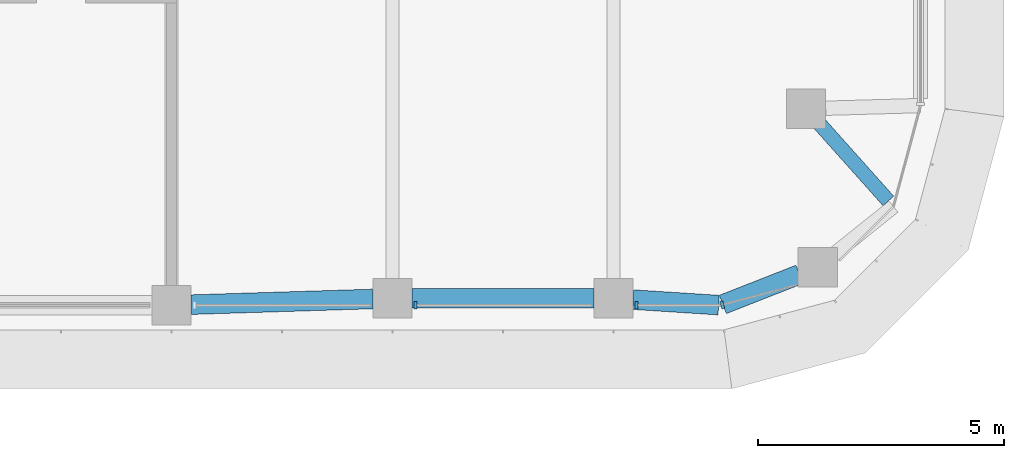
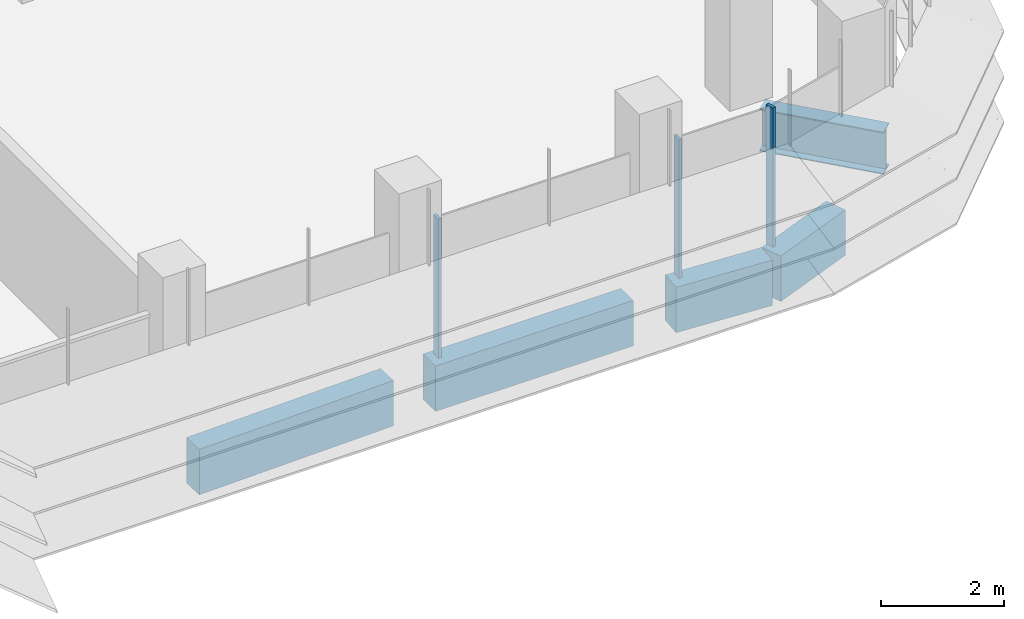
# One storey, part 5 of 20: 5 beams, 3 members, 2 elements without a shape of their own.
"""IFC4 building model written with IfcOpenShell, lengths in metres."""

import ifcopenshell
import ifcopenshell.guid

model = None  # the IFC model being written
_history = None  # IfcOwnerHistory: only IFC2X3 demands one
_inside = {}  # id of a spatial element -> (the spatial element, [elements in it])
_under = {}  # id of a project, library or spatial element -> (it, [spatial elements below it])
_declared = {}  # id of a project -> (the project, [libraries it declares])
_typed = {}  # id of a type object -> (the type object, [elements of that type])
_made_of = {}  # id of a material, layer set ... -> (it, [elements and type objects made of it])


def new_model(schema):
    """Start an empty IFC model of exactly this schema.

    Asked for "IFC4X3", IfcOpenShell would pick the latest addendum, in which some entities
    have other attributes; the version numbers below select the first issue.
    IFC2X3 requires an IfcOwnerHistory on every rooted entity: one is made here for all.
    """
    global model, _history
    if schema == "IFC4X3":
        model = ifcopenshell.file(schema_version=(4, 3, 0, 0))
    else:
        model = ifcopenshell.file(schema=schema)
    _inside.clear()
    _under.clear()
    _declared.clear()
    _typed.clear()
    _made_of.clear()
    _history = None
    if model.schema == "IFC2X3":
        org = make("IfcOrganization", Name="unknown")
        user = make(
            "IfcPersonAndOrganization",
            ThePerson=make("IfcPerson", FamilyName="unknown"),
            TheOrganization=org,
        )
        app = make(
            "IfcApplication",
            ApplicationDeveloper=org,
            Version="unknown",
            ApplicationFullName="unknown",
            ApplicationIdentifier="unknown",
        )
        _history = make(
            "IfcOwnerHistory",
            OwningUser=user,
            OwningApplication=app,
            ChangeAction="ADDED",
            CreationDate=0,
        )
    return model


def make(cls, **values):
    """One entity of the class cls with the attributes given. An attribute that is None is left unset."""
    return model.create_entity(
        cls, **{name: value for name, value in values.items() if value is not None}
    )


def rooted(cls, **values):
    """An entity with a GlobalId (a new one), such as an element, a storey or a relation."""
    return make(cls, GlobalId=ifcopenshell.guid.new(), OwnerHistory=_history, **values)


def si_unit(unit_type, name, prefix=None):
    """IfcSIUnit, for example si_unit("LENGTHUNIT", "METRE", prefix="MILLI")."""
    return make("IfcSIUnit", UnitType=unit_type, Prefix=prefix, Name=name)


def assignment(units):
    """IfcUnitAssignment: the units of a project."""
    return None if units is None else make("IfcUnitAssignment", Units=units)


def point(xyz):
    """IfcCartesianPoint."""
    return None if xyz is None else make("IfcCartesianPoint", Coordinates=xyz)


def direction(xyz):
    """IfcDirection."""
    return None if xyz is None else make("IfcDirection", DirectionRatios=xyz)


def frame(location, z_axis=None, x_axis=None):
    """IfcAxis2Placement3D, a coordinate frame: its origin and axes. An axis left out is left unset."""
    return make(
        "IfcAxis2Placement3D",
        Location=point(location),
        Axis=direction(z_axis),
        RefDirection=direction(x_axis),
    )


def frame_2d(location, x_axis=None):
    """IfcAxis2Placement2D, a coordinate frame in the plane: its origin and x axis."""
    return make(
        "IfcAxis2Placement2D", Location=point(location), RefDirection=direction(x_axis)
    )


def origin():
    """The frame at (0, 0, 0) with its axes left unset."""
    return frame((0.0, 0.0, 0.0))


def origin_2d():
    """The frame at (0, 0) in the plane with its x axis left unset."""
    return frame_2d((0.0, 0.0))


def place(relative_to, where):
    """IfcLocalPlacement: puts the frame where relative to a parent placement (None: the world)."""
    return make(
        "IfcLocalPlacement", PlacementRelTo=relative_to, RelativePlacement=where
    )


def context(
    kind, dimensions, precision=None, world=None, true_north=None, identifier=None
):
    """IfcGeometricRepresentationContext, for example the 3D "Model" context."""
    return make(
        "IfcGeometricRepresentationContext",
        ContextIdentifier=identifier,
        ContextType=kind,
        CoordinateSpaceDimension=dimensions,
        Precision=precision,
        WorldCoordinateSystem=world,
        TrueNorth=true_north,
    )


def subcontext(parent, identifier, kind, view, scale=None):
    """IfcGeometricRepresentationSubContext, for example "Body" below "Model"."""
    return make(
        "IfcGeometricRepresentationSubContext",
        ContextIdentifier=identifier,
        ContextType=kind,
        ParentContext=parent,
        TargetScale=scale,
        TargetView=view,
    )


def project(units=None, contexts=None):
    """IfcProject with its units and contexts."""
    return rooted(
        "IfcProject",
        Name="project",
        RepresentationContexts=contexts,
        UnitsInContext=assignment(units),
    )


def spatial(cls, under=None, at=None, **own):
    """A site, building, storey or space (cls), placed at a placement, below another one or the project."""
    s = rooted(cls, ObjectPlacement=at, **own)
    if under is not None:
        _under.setdefault(under.id(), (under, []))[1].append(s)
    return s


def polyline(points):
    """IfcPolyline through the points."""
    return make("IfcPolyline", Points=[point(p) for p in points])


def profile(cls, at=None, kind="AREA", **sizes):
    """A parametric profile (cls). Its sizes go by their IFC names, for example OverallWidth=200.0."""
    return make(cls, ProfileType=kind, Position=at, **sizes)


def rectangle(**sizes):
    """IfcRectangleProfileDef."""
    return profile("IfcRectangleProfileDef", **sizes)


def i_section(**sizes):
    """IfcIShapeProfileDef."""
    return profile("IfcIShapeProfileDef", **sizes)


def outline(outer, holes=None, kind="AREA"):
    """IfcArbitraryClosedProfileDef: a profile drawn as a closed curve; with holes, ...WithVoids."""
    if holes is None:
        return make("IfcArbitraryClosedProfileDef", ProfileType=kind, OuterCurve=outer)
    return make(
        "IfcArbitraryProfileDefWithVoids",
        ProfileType=kind,
        OuterCurve=outer,
        InnerCurves=holes,
    )


def extrude(swept, where, along, depth):
    """IfcExtrudedAreaSolid: the profile swept, set in the frame where, extruded along a direction by depth."""
    return make(
        "IfcExtrudedAreaSolid",
        SweptArea=swept,
        Position=where,
        ExtrudedDirection=direction(along),
        Depth=depth,
    )


def shape(context_of_items, identifier, shape_type, items):
    """IfcShapeRepresentation: the items that make up one representation, for example the "Body"."""
    return make(
        "IfcShapeRepresentation",
        ContextOfItems=context_of_items,
        RepresentationIdentifier=identifier,
        RepresentationType=shape_type,
        Items=items,
    )


def source(mapping_origin, context_of_items, identifier, shape_type, items):
    """IfcRepresentationMap: a shape defined once, which mapped items show again and again."""
    return make(
        "IfcRepresentationMap",
        MappingOrigin=mapping_origin,
        MappedRepresentation=shape(context_of_items, identifier, shape_type, items),
    )


def transform(
    local_origin,
    x_axis=None,
    y_axis=None,
    z_axis=None,
    scale=None,
    scale2=None,
    scale3=None,
    uniform=True,
):
    """IfcCartesianTransformationOperator3D, or its non-uniform kind. x_axis, y_axis, z_axis: its Axis1, 2, 3."""
    if uniform:
        return make(
            "IfcCartesianTransformationOperator3D",
            Axis1=direction(x_axis),
            Axis2=direction(y_axis),
            LocalOrigin=point(local_origin),
            Scale=scale,
            Axis3=direction(z_axis),
        )
    return make(
        "IfcCartesianTransformationOperator3DnonUniform",
        Axis1=direction(x_axis),
        Axis2=direction(y_axis),
        LocalOrigin=point(local_origin),
        Scale=scale,
        Axis3=direction(z_axis),
        Scale2=scale2,
        Scale3=scale3,
    )


def mapped(mapping_source, mapping_target):
    """IfcMappedItem: shows the shape of a source again, moved by a transform."""
    return make(
        "IfcMappedItem", MappingSource=mapping_source, MappingTarget=mapping_target
    )


def material(Name=None, Category=None):
    """IfcMaterial."""
    return make("IfcMaterial", Name=Name, Category=Category)


def material_profile(
    of_material, cross_section, Name=None, Category=None, Priority=None
):
    """IfcMaterialProfile: a cross section and its material."""
    return make(
        "IfcMaterialProfile",
        Name=Name,
        Material=of_material,
        Profile=cross_section,
        Priority=Priority,
        Category=Category,
    )


def profile_set(profiles, Name=None, composite=None):
    """IfcMaterialProfileSet."""
    return make(
        "IfcMaterialProfileSet",
        Name=Name,
        MaterialProfiles=profiles,
        CompositeProfile=composite,
    )


def made_of(thing, what):
    """Note that an element or type object is made of a material, layer set ...; save() writes the relation."""
    if what is not None:
        _made_of.setdefault(what.id(), (what, []))[1].append(thing)
    return thing


def type_object(cls, material=None, **own):
    """A type object (cls), such as IfcWallType, which elements share."""
    return made_of(rooted(cls, **own), material)


def element(
    cls,
    number,
    at=None,
    inside=None,
    cuts=None,
    type_object=None,
    material=None,
    context=None,
    identifier="Body",
    shape_type=None,
    held_by="IfcProductDefinitionShape",
    body=None,
    shapes=None,
    **own,
):
    """One element of the class cls, such as IfcWall. Its Tag is "e" and its number.

    at: its placement. inside: the storey or other place that contains it. cuts: it is an
    opening in that element (IfcRelVoidsElement). A single representation is given by context,
    identifier, shape_type and body (its items); several are given by shapes. held_by: the class
    of the entity that holds the representations. save() writes the other relations.
    """
    e = rooted(cls, Tag="e%d" % number, ObjectPlacement=at, **own)
    if body is not None:
        shapes = [shape(context, identifier, shape_type, body)]
    if shapes is not None:
        e.Representation = make(held_by, Representations=shapes)
    if inside is not None:
        _inside.setdefault(inside.id(), (inside, []))[1].append(e)
    if cuts is not None:
        rooted(
            "IfcRelVoidsElement", RelatingBuildingElement=cuts, RelatedOpeningElement=e
        )
    if type_object is not None:
        _typed.setdefault(type_object.id(), (type_object, []))[1].append(e)
    return made_of(e, material)


def aggregate(whole, parts):
    """IfcRelAggregates: a whole, such as a stair, and the parts it consists of."""
    return rooted("IfcRelAggregates", RelatingObject=whole, RelatedObjects=parts)


def save(model, path):
    """Write the relations noted so far, then the file.

    IfcRelAggregates (storeys below a building ...), IfcRelContainedInSpatialStructure (elements
    in a storey), IfcRelDefinesByType, IfcRelAssociatesMaterial and IfcRelDeclares: one each for
    every whole, place, type object, material and project.
    """
    for whole, parts in _under.values():
        aggregate(whole, parts)
    for where, things in _inside.values():
        rooted(
            "IfcRelContainedInSpatialStructure",
            RelatedElements=things,
            RelatingStructure=where,
        )
    for kind, things in _typed.values():
        rooted("IfcRelDefinesByType", RelatedObjects=things, RelatingType=kind)
    for what, things in _made_of.values():
        rooted("IfcRelAssociatesMaterial", RelatedObjects=things, RelatingMaterial=what)
    for by, libraries in _declared.values():
        rooted("IfcRelDeclares", RelatingContext=by, RelatedDefinitions=libraries)
    model.write(path)


model = new_model("IFC4")

# Units and contexts
model_context = context("Model", 3, precision=1e-05, world=origin(), true_north=direction((0.0, 1.0)))
body_context = subcontext(model_context, "Body", "Model", "MODEL_VIEW")
ifc_project = project(units=[si_unit("LENGTHUNIT", "METRE"), si_unit("AREAUNIT", "SQUARE_METRE"), si_unit("VOLUMEUNIT", "CUBIC_METRE"), si_unit("PLANEANGLEUNIT", "RADIAN"), si_unit("MASSUNIT", "GRAM", prefix="KILO")], contexts=[model_context])

# Site, building, storey
site_placement = place(None, origin())
site = spatial("IfcSite", under=ifc_project, at=site_placement, CompositionType="ELEMENT")
building_placement = place(site_placement, origin())
building = spatial("IfcBuilding", under=site, at=building_placement, Name="Zarbagh Exchange Tower", CompositionType="ELEMENT")
storey_placement = place(building_placement, frame((0.0, 0.0, 148.60009765625)))
storey = spatial("IfcBuildingStorey", under=building, at=storey_placement, Name="L35", CompositionType="ELEMENT", Elevation=148.60009765625)

# Beams
ifc_material_1 = material(Name="Steel ASTM A992 Gr 50", Category="steel")
ifc_material_profile_1 = material_profile(ifc_material_1, i_section(OverallWidth=0.2919921875, OverallDepth=0.835693359375, WebThickness=0.013916015625, FlangeThickness=0.018798828125, at=origin_2d()), Name="W33X118")
ifc_profile_set_1 = profile_set([ifc_material_profile_1], Name="Steel ASTM A992 Gr 50")
beam_type_1 = type_object("IfcBeamType", Name="Floor girder W33X118", PredefinedType="BEAM", material=ifc_profile_set_1)
beam_1_placement = place(storey_placement, frame((28.9365234375, -2.54833984375, -0.56787109375), z_axis=(0.666238158503, -0.745739040251, 0.0), x_axis=(0.745739040251, 0.666238158503, 0.0)))
element("IfcBeam", 1, at=beam_1_placement, inside=storey, type_object=beam_type_1, Name="Steel girder", PredefinedType="BEAM", context=body_context, shape_type="SweptSolid", body=[
    extrude(i_section(OverallWidth=0.2919921875, OverallDepth=0.835693359375, WebThickness=0.013916015625, FlangeThickness=0.018798828125, at=origin_2d()), origin(), (0.0, 0.0, 1.0), 2.115966796875),
])
ifc_material_2 = material(Name="Concrete C50/60", Category="concrete")
ifc_material_profile_2 = material_profile(ifc_material_2, rectangle(XDim=0.39990234375, YDim=0.89990234375, at=origin_2d()), Name="RC spandrel beam 400 x 900 C50/60")
ifc_profile_set_2 = profile_set([ifc_material_profile_2], Name="Concrete C50/60")
beam_type_2 = type_object("IfcBeamType", Name="RC spandrel beam 400 x 900 C50/60", PredefinedType="SPANDREL", material=ifc_profile_set_2)
beam_2_placement = place(storey_placement, frame((28.53564453125, -5.62109375, -0.60009765625), z_axis=(-0.930818758612, -0.36548110569, 0.0), x_axis=(0.36548110569, -0.930818758612, 0.0)))
element("IfcBeam", 2, at=beam_2_placement, inside=storey, type_object=beam_type_2, Name="RC spandrel beam", PredefinedType="SPANDREL", context=body_context, shape_type="SweptSolid", body=[
    extrude(rectangle(XDim=0.39990234375, YDim=0.89990234375, at=origin_2d()), origin(), (0.0, 0.0, 1.0), 1.676025390625),
])
beam_3_placement = place(storey_placement, frame((26.8896484375, -6.247314453125, -0.60009765625), z_axis=(-0.997942679773, 0.064112462805, 0.0), x_axis=(-0.064112462805, -0.997942679773, 0.0)))
element("IfcBeam", 3, at=beam_3_placement, inside=storey, type_object=beam_type_2, Name="RC spandrel beam", PredefinedType="SPANDREL", context=body_context, shape_type="SweptSolid", body=[
    extrude(rectangle(XDim=0.39990234375, YDim=0.89990234375, at=origin_2d()), origin(), (0.0, 0.0, 1.0), 1.744140625),
])
beam_4_placement = place(storey_placement, frame((24.35009765625, -6.110107421875, -0.60009765625), z_axis=(-1.0, 0.0, 0.0), x_axis=(0.0, -1.0, 0.0)))
element("IfcBeam", 4, at=beam_4_placement, inside=storey, type_object=beam_type_2, Name="RC spandrel beam", PredefinedType="SPANDREL", context=body_context, shape_type="SweptSolid", body=[
    extrude(rectangle(XDim=0.39990234375, YDim=0.89990234375, at=origin_2d()), origin(), (0.0, 0.0, 1.0), 3.7001953125),
])
beam_5_placement = place(storey_placement, frame((19.85009765625, -6.122314453125, -0.60009765625), z_axis=(-0.999515416033, -0.031127690444, 0.0), x_axis=(0.031127690444, -0.999515416033, 0.0)))
element("IfcBeam", 5, at=beam_5_placement, inside=storey, type_object=beam_type_2, Name="RC spandrel beam", PredefinedType="SPANDREL", context=body_context, shape_type="SweptSolid", body=[
    extrude(rectangle(XDim=0.39990234375, YDim=0.89990234375, at=origin_2d()), origin(), (0.0, 0.0, 1.0), 3.701904296875),
])

# Curtain wall, members
ifc_material_3 = material(Name="Anodised aluminium frame and glazing", Category="aluminium")
curtain_wall_type = type_object("IfcCurtainWallType", Name="CWB Ribbon glazing, upper zones", PredefinedType="NOTDEFINED", material=ifc_material_3)
curtain_wall_1_placement = place(storey_placement, origin())
curtain_wall_1 = element("IfcCurtainWall", 6, at=curtain_wall_1_placement, inside=storey, type_object=curtain_wall_type, Name="CWB08 curtain wall", PredefinedType="NOTDEFINED")
ifc_material_4 = material(Name="Anodised aluminium frame", Category="aluminium")
member_type = type_object("IfcMemberType", Name="MUB Mullion, anodised aluminium frame", PredefinedType="MULLION", material=ifc_material_4)
shared_shape = source(origin(), body_context, "Body", "SweptSolid", [
    extrude(outline(polyline([(0.0, -0.080078125), (0.06005859375, -0.080078125), (0.06005859375, 0.080078125), (0.0, 0.080078125), (0.0, -0.080078125)])), origin(), (0.0, 0.0, 1.0), 2.75),
])
placement = place(storey_placement, origin())
member_1 = element("IfcMember", 7, at=placement, type_object=member_type, Name="CWB08 mullion 3.1", PredefinedType="MULLION", context=body_context, shape_type="MappedRepresentation", body=[
    mapped(shared_shape, transform((20.68994140625, -6.25, 0.0), x_axis=(1.0, 0.0, 0.0), y_axis=(0.0, 1.0, 0.0), z_axis=(0.0, 0.0, 1.0))),
])
member_2 = element("IfcMember", 8, at=placement, type_object=member_type, Name="CWB08 mullion 4.1", PredefinedType="MULLION", context=body_context, shape_type="MappedRepresentation", body=[
    mapped(shared_shape, transform((25.18994140625, -6.25, 0.0), x_axis=(1.0, 0.0, 0.0), y_axis=(0.0, 1.0, 0.0), z_axis=(0.0, 0.0, 1.0))),
])
aggregate(curtain_wall_1, [member_1, member_2])

# Curtain wall, member
curtain_wall_2_placement = place(storey_placement, origin())
curtain_wall_2 = element("IfcCurtainWall", 9, at=curtain_wall_2_placement, inside=storey, type_object=curtain_wall_type, Name="CWB09 curtain wall", PredefinedType="NOTDEFINED")
member_3 = element("IfcMember", 10, at=placement, type_object=member_type, Name="CWB09 mullion 1.1", PredefinedType="MULLION", context=body_context, shape_type="MappedRepresentation", body=[
    mapped(shared_shape, transform((26.93408203125, -6.25, 0.0), x_axis=(0.965924289636, 0.258824779902, 0.0), y_axis=(-0.258824779902, 0.965924289636, 0.0), z_axis=(0.0, 0.0, 1.0))),
])
aggregate(curtain_wall_2, [member_3])

save(model, "model.ifc")
